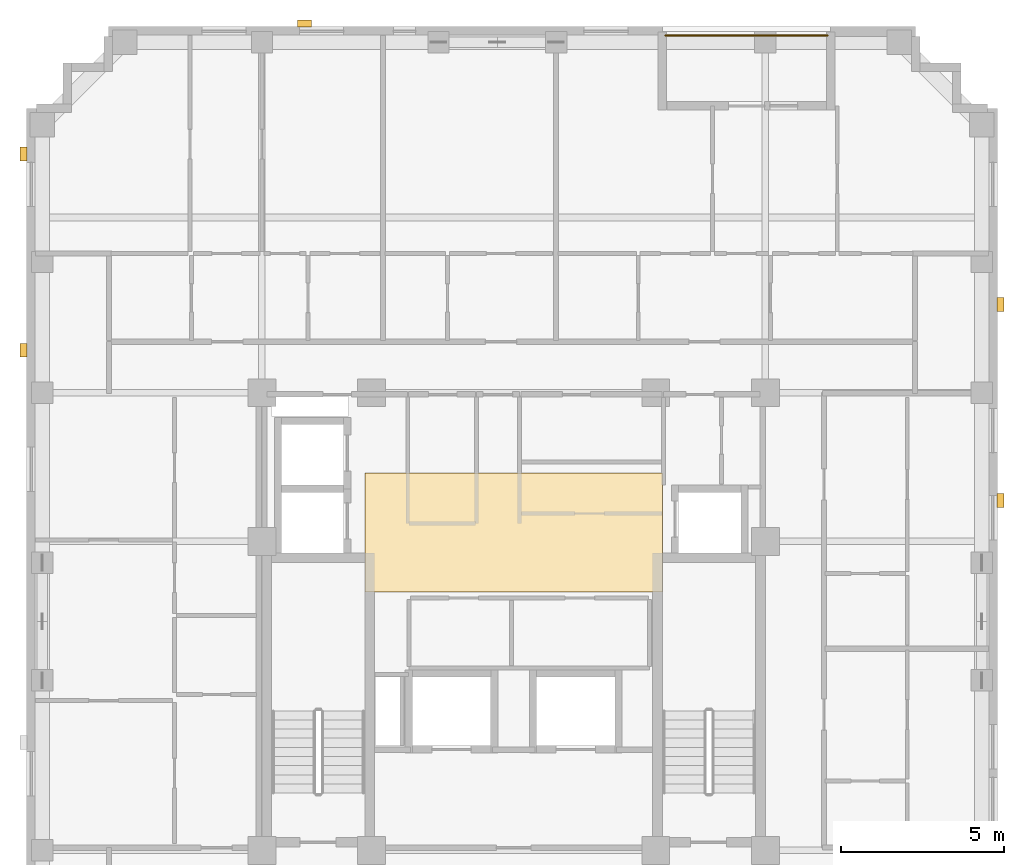
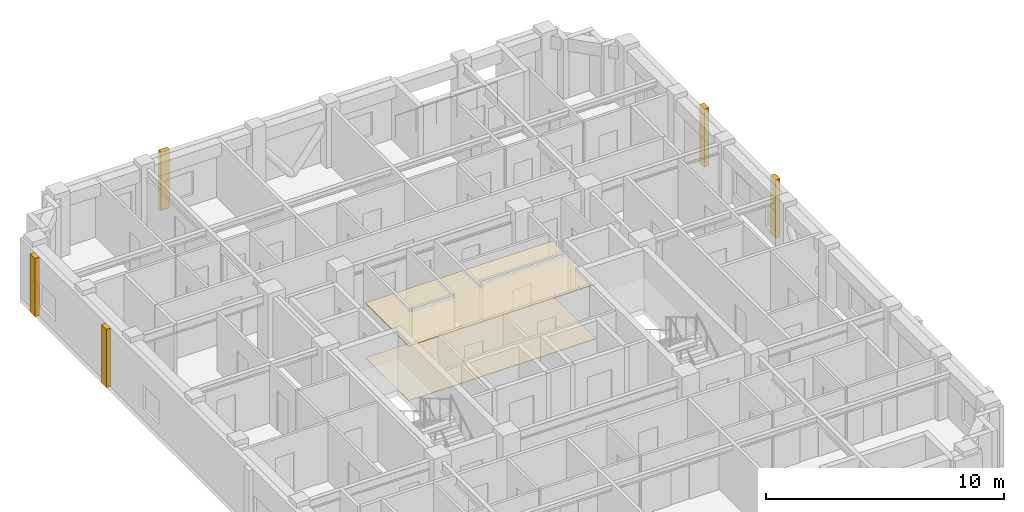
# One storey, part 11 of 11: 7 coverings, 1 railing.
"""IFC4 building model written with IfcOpenShell, lengths in metres."""

import ifcopenshell
import ifcopenshell.guid

model = None  # the IFC model being written
_history = None  # IfcOwnerHistory: only IFC2X3 demands one
_inside = {}  # id of a spatial element -> (the spatial element, [elements in it])
_under = {}  # id of a project, library or spatial element -> (it, [spatial elements below it])
_declared = {}  # id of a project -> (the project, [libraries it declares])
_typed = {}  # id of a type object -> (the type object, [elements of that type])
_made_of = {}  # id of a material, layer set ... -> (it, [elements and type objects made of it])


def new_model(schema):
    """Start an empty IFC model of exactly this schema.

    Asked for "IFC4X3", IfcOpenShell would pick the latest addendum, in which some entities
    have other attributes; the version numbers below select the first issue.
    IFC2X3 requires an IfcOwnerHistory on every rooted entity: one is made here for all.
    """
    global model, _history
    if schema == "IFC4X3":
        model = ifcopenshell.file(schema_version=(4, 3, 0, 0))
    else:
        model = ifcopenshell.file(schema=schema)
    _inside.clear()
    _under.clear()
    _declared.clear()
    _typed.clear()
    _made_of.clear()
    _history = None
    if model.schema == "IFC2X3":
        org = make("IfcOrganization", Name="unknown")
        user = make(
            "IfcPersonAndOrganization",
            ThePerson=make("IfcPerson", FamilyName="unknown"),
            TheOrganization=org,
        )
        app = make(
            "IfcApplication",
            ApplicationDeveloper=org,
            Version="unknown",
            ApplicationFullName="unknown",
            ApplicationIdentifier="unknown",
        )
        _history = make(
            "IfcOwnerHistory",
            OwningUser=user,
            OwningApplication=app,
            ChangeAction="ADDED",
            CreationDate=0,
        )
    return model


def make(cls, **values):
    """One entity of the class cls with the attributes given. An attribute that is None is left unset."""
    return model.create_entity(
        cls, **{name: value for name, value in values.items() if value is not None}
    )


def rooted(cls, **values):
    """An entity with a GlobalId (a new one), such as an element, a storey or a relation."""
    return make(cls, GlobalId=ifcopenshell.guid.new(), OwnerHistory=_history, **values)


def si_unit(unit_type, name, prefix=None):
    """IfcSIUnit, for example si_unit("LENGTHUNIT", "METRE", prefix="MILLI")."""
    return make("IfcSIUnit", UnitType=unit_type, Prefix=prefix, Name=name)


def derived_unit(unit_type, elements):
    """IfcDerivedUnit: a product of units, each with its exponent."""
    return make(
        "IfcDerivedUnit",
        Elements=[
            make("IfcDerivedUnitElement", Unit=unit, Exponent=power)
            for unit, power in elements
        ],
        UnitType=unit_type,
    )


def assignment(units):
    """IfcUnitAssignment: the units of a project."""
    return None if units is None else make("IfcUnitAssignment", Units=units)


def point(xyz):
    """IfcCartesianPoint."""
    return None if xyz is None else make("IfcCartesianPoint", Coordinates=xyz)


def direction(xyz):
    """IfcDirection."""
    return None if xyz is None else make("IfcDirection", DirectionRatios=xyz)


def frame(location, z_axis=None, x_axis=None):
    """IfcAxis2Placement3D, a coordinate frame: its origin and axes. An axis left out is left unset."""
    return make(
        "IfcAxis2Placement3D",
        Location=point(location),
        Axis=direction(z_axis),
        RefDirection=direction(x_axis),
    )


def frame_2d(location, x_axis=None):
    """IfcAxis2Placement2D, a coordinate frame in the plane: its origin and x axis."""
    return make(
        "IfcAxis2Placement2D", Location=point(location), RefDirection=direction(x_axis)
    )


def origin():
    """The frame at (0, 0, 0) with its axes left unset."""
    return frame((0.0, 0.0, 0.0))


def origin_2d():
    """The frame at (0, 0) in the plane with its x axis left unset."""
    return frame_2d((0.0, 0.0))


def place(relative_to, where):
    """IfcLocalPlacement: puts the frame where relative to a parent placement (None: the world)."""
    return make(
        "IfcLocalPlacement", PlacementRelTo=relative_to, RelativePlacement=where
    )


def context(
    kind, dimensions, precision=None, world=None, true_north=None, identifier=None
):
    """IfcGeometricRepresentationContext, for example the 3D "Model" context."""
    return make(
        "IfcGeometricRepresentationContext",
        ContextIdentifier=identifier,
        ContextType=kind,
        CoordinateSpaceDimension=dimensions,
        Precision=precision,
        WorldCoordinateSystem=world,
        TrueNorth=true_north,
    )


def subcontext(parent, identifier, kind, view, scale=None):
    """IfcGeometricRepresentationSubContext, for example "Body" below "Model"."""
    return make(
        "IfcGeometricRepresentationSubContext",
        ContextIdentifier=identifier,
        ContextType=kind,
        ParentContext=parent,
        TargetScale=scale,
        TargetView=view,
    )


def project(units=None, contexts=None):
    """IfcProject with its units and contexts."""
    return rooted(
        "IfcProject",
        Name="project",
        RepresentationContexts=contexts,
        UnitsInContext=assignment(units),
    )


def spatial(cls, under=None, at=None, **own):
    """A site, building, storey or space (cls), placed at a placement, below another one or the project."""
    s = rooted(cls, ObjectPlacement=at, **own)
    if under is not None:
        _under.setdefault(under.id(), (under, []))[1].append(s)
    return s


def polyline(points):
    """IfcPolyline through the points."""
    return make("IfcPolyline", Points=[point(p) for p in points])


def profile(cls, at=None, kind="AREA", **sizes):
    """A parametric profile (cls). Its sizes go by their IFC names, for example OverallWidth=200.0."""
    return make(cls, ProfileType=kind, Position=at, **sizes)


def rectangle(**sizes):
    """IfcRectangleProfileDef."""
    return profile("IfcRectangleProfileDef", **sizes)


def circle(**sizes):
    """IfcCircleProfileDef."""
    return profile("IfcCircleProfileDef", **sizes)


def outline(outer, holes=None, kind="AREA"):
    """IfcArbitraryClosedProfileDef: a profile drawn as a closed curve; with holes, ...WithVoids."""
    if holes is None:
        return make("IfcArbitraryClosedProfileDef", ProfileType=kind, OuterCurve=outer)
    return make(
        "IfcArbitraryProfileDefWithVoids",
        ProfileType=kind,
        OuterCurve=outer,
        InnerCurves=holes,
    )


def extrude(swept, where, along, depth):
    """IfcExtrudedAreaSolid: the profile swept, set in the frame where, extruded along a direction by depth."""
    return make(
        "IfcExtrudedAreaSolid",
        SweptArea=swept,
        Position=where,
        ExtrudedDirection=direction(along),
        Depth=depth,
    )


def shape(context_of_items, identifier, shape_type, items):
    """IfcShapeRepresentation: the items that make up one representation, for example the "Body"."""
    return make(
        "IfcShapeRepresentation",
        ContextOfItems=context_of_items,
        RepresentationIdentifier=identifier,
        RepresentationType=shape_type,
        Items=items,
    )


def material(Name=None, Category=None):
    """IfcMaterial."""
    return make("IfcMaterial", Name=Name, Category=Category)


def layer(
    of_material, thickness, ventilated=None, Name=None, Category=None, Priority=None
):
    """IfcMaterialLayer: one layer of a wall or slab, of a material (None: an air gap)."""
    return make(
        "IfcMaterialLayer",
        Material=of_material,
        LayerThickness=thickness,
        IsVentilated=ventilated,
        Name=Name,
        Category=Category,
        Priority=Priority,
    )


def layer_set(layers, Name=None):
    """IfcMaterialLayerSet."""
    return make("IfcMaterialLayerSet", MaterialLayers=layers, LayerSetName=Name)


def made_of(thing, what):
    """Note that an element or type object is made of a material, layer set ...; save() writes the relation."""
    if what is not None:
        _made_of.setdefault(what.id(), (what, []))[1].append(thing)
    return thing


def type_object(cls, material=None, **own):
    """A type object (cls), such as IfcWallType, which elements share."""
    return made_of(rooted(cls, **own), material)


def element(
    cls,
    number,
    at=None,
    inside=None,
    cuts=None,
    type_object=None,
    material=None,
    context=None,
    identifier="Body",
    shape_type=None,
    held_by="IfcProductDefinitionShape",
    body=None,
    shapes=None,
    **own,
):
    """One element of the class cls, such as IfcWall. Its Tag is "e" and its number.

    at: its placement. inside: the storey or other place that contains it. cuts: it is an
    opening in that element (IfcRelVoidsElement). A single representation is given by context,
    identifier, shape_type and body (its items); several are given by shapes. held_by: the class
    of the entity that holds the representations. save() writes the other relations.
    """
    e = rooted(cls, Tag="e%d" % number, ObjectPlacement=at, **own)
    if body is not None:
        shapes = [shape(context, identifier, shape_type, body)]
    if shapes is not None:
        e.Representation = make(held_by, Representations=shapes)
    if inside is not None:
        _inside.setdefault(inside.id(), (inside, []))[1].append(e)
    if cuts is not None:
        rooted(
            "IfcRelVoidsElement", RelatingBuildingElement=cuts, RelatedOpeningElement=e
        )
    if type_object is not None:
        _typed.setdefault(type_object.id(), (type_object, []))[1].append(e)
    return made_of(e, material)


def aggregate(whole, parts):
    """IfcRelAggregates: a whole, such as a stair, and the parts it consists of."""
    return rooted("IfcRelAggregates", RelatingObject=whole, RelatedObjects=parts)


def save(model, path):
    """Write the relations noted so far, then the file.

    IfcRelAggregates (storeys below a building ...), IfcRelContainedInSpatialStructure (elements
    in a storey), IfcRelDefinesByType, IfcRelAssociatesMaterial and IfcRelDeclares: one each for
    every whole, place, type object, material and project.
    """
    for whole, parts in _under.values():
        aggregate(whole, parts)
    for where, things in _inside.values():
        rooted(
            "IfcRelContainedInSpatialStructure",
            RelatedElements=things,
            RelatingStructure=where,
        )
    for kind, things in _typed.values():
        rooted("IfcRelDefinesByType", RelatedObjects=things, RelatingType=kind)
    for what, things in _made_of.values():
        rooted("IfcRelAssociatesMaterial", RelatedObjects=things, RelatingMaterial=what)
    for by, libraries in _declared.values():
        rooted("IfcRelDeclares", RelatingContext=by, RelatedDefinitions=libraries)
    model.write(path)


model = new_model("IFC4")

# Units and contexts
model_context = context("Model", 3, precision=1e-05, world=origin(), true_north=direction((0.0, 1.0)))
body_context = subcontext(model_context, "Body", "Model", "MODEL_VIEW")
ifc_project = project(units=[si_unit("LENGTHUNIT", "METRE"), si_unit("AREAUNIT", "SQUARE_METRE"), si_unit("VOLUMEUNIT", "CUBIC_METRE"), si_unit("PLANEANGLEUNIT", "RADIAN"), si_unit("MASSUNIT", "GRAM", prefix="KILO"), derived_unit("THERMALTRANSMITTANCEUNIT", [(si_unit("MASSUNIT", "GRAM", prefix="KILO"), 1), (si_unit("TIMEUNIT", "SECOND"), -3), (si_unit("THERMODYNAMICTEMPERATUREUNIT", "KELVIN"), -1)])], contexts=[model_context])

# Site, building, storey
site_placement = place(None, origin())
site = spatial("IfcSite", under=ifc_project, at=site_placement, CompositionType="ELEMENT")
building_placement = place(site_placement, origin())
building = spatial("IfcBuilding", under=site, at=building_placement, Name="Korrvale Station Residences", CompositionType="ELEMENT")
storey_placement = place(building_placement, frame((0.0, 0.0, 210.699951171875)))
storey = spatial("IfcBuildingStorey", under=building, at=storey_placement, Name="L61", CompositionType="ELEMENT", Elevation=210.699951171875)

# Coverings
ifc_material_1 = material(Name="Perforated acoustic mineral-fibre suspended ceiling", Category="gypsum")
ifc_layer_1 = layer(ifc_material_1, 0.050048828125, Name="Perforated acoustic mineral-fibre suspended ceiling")
ifc_layer_set_1 = layer_set([ifc_layer_1], Name="Perforated acoustic mineral-fibre suspended ceiling")
covering_type_1 = type_object("IfcCoveringType", Name="COV-CLG-AC60", PredefinedType="CEILING", material=ifc_layer_set_1)
covering_1_placement = place(storey_placement, frame((0.0, 0.0, 2.7900390625)))
element("IfcCovering", 1, at=covering_1_placement, inside=storey, type_object=covering_type_1, Name="L61 Elevator Lobby Acoustic Ceiling", PredefinedType="CEILING", context=body_context, shape_type="SweptSolid", body=[
    extrude(outline(polyline([(20.949951171875, 22.89990234375), (30.050048828125, 22.89990234375), (30.050048828125, 26.550048828125), (20.949951171875, 26.550048828125), (20.949951171875, 22.89990234375)])), origin(), (0.0, 0.0, 1.0), 0.050048828125),
])
ifc_material_2 = material(Name="Polished quartz-terrazzo lobby flooring", Category="masonry")
ifc_layer_2 = layer(ifc_material_2, 0.02001953125, Name="Polished quartz-terrazzo lobby flooring")
ifc_layer_set_2 = layer_set([ifc_layer_2], Name="Polished quartz-terrazzo lobby flooring")
covering_type_2 = type_object("IfcCoveringType", Name="COV-FLR-TER20", PredefinedType="FLOORING", material=ifc_layer_set_2)
covering_2_placement = place(storey_placement, origin())
element("IfcCovering", 2, at=covering_2_placement, inside=storey, type_object=covering_type_2, Name="L61 Elevator Lobby Terrazzo Flooring", PredefinedType="FLOORING", context=body_context, shape_type="SweptSolid", body=[
    extrude(outline(polyline([(20.949951171875, 22.89990234375), (30.050048828125, 22.89990234375), (30.050048828125, 26.550048828125), (20.949951171875, 26.550048828125), (20.949951171875, 22.89990234375)])), origin(), (0.0, 0.0, 1.0), 0.02001953125),
])
ifc_material_3 = material(Name="Architectural precast concrete C45/55", Category="concrete")
ifc_layer_3 = layer(ifc_material_3, 0.219970703125, Name="Architectural precast concrete C45/55")
ifc_layer_set_3 = layer_set([ifc_layer_3], Name="Architectural precast concrete C45/55")
covering_type_3 = type_object("IfcCoveringType", Name="COV-PIER-400", PredefinedType="CLADDING", material=ifc_layer_set_3)
for number, where, z_axis, x_axis, name in (
    (3, (19.10009765625, 40.2900390625, 0.02490234375), (0.0, 0.0, 1.0), (1.0, 0.0, 0.0), "L61 Architectural Precast Facade Pier 01"),
    (4, (10.510009765625, 30.300048828125, 0.02490234375), (0.0, 0.0, 1.0), (0.0, 1.0, 0.0), "L61 Architectural Precast Facade Pier 04"),
    (5, (10.510009765625, 36.300048828125, 0.02490234375), (0.0, 0.0, 1.0), (0.0, 1.0, 0.0), "L61 Architectural Precast Facade Pier 05"),
    (6, (40.389892578125, 31.699951171875, 0.02490234375), (0.0, 0.0, 1.0), (0.0, 1.0, 0.0), "L61 Architectural Precast Facade Pier 06"),
    (7, (40.389892578125, 25.699951171875, 0.02490234375), (0.0, 0.0, 1.0), (0.0, 1.0, 0.0), "L61 Architectural Precast Facade Pier 07"),
):
    element("IfcCovering", number, at=place(storey_placement, frame(where, z_axis=z_axis, x_axis=x_axis)), inside=storey, type_object=covering_type_3, Name=name, PredefinedType="CLADDING", context=body_context, shape_type="SweptSolid", body=[
        extrude(rectangle(XDim=0.419921875, YDim=0.219970703125, at=origin_2d()), origin(), (0.0, 0.0, 1.0), 2.989990234375),
    ])

# Railing
ifc_material_4 = material(Name="Powder-coated aluminium picket loggia guard", Category="aluminium")
railing_type = type_object("IfcRailingType", Name="RLG-BAL-1150", PredefinedType="GUARDRAIL", material=ifc_material_4)
railing_placement = place(storey_placement, frame((30.14990234375, 39.929931640625, 0.0)))
element("IfcRailing", 8, at=railing_placement, inside=storey, type_object=railing_type, Name="L61 Recessed Loggia Guardrail BAL-L61-N1", PredefinedType="GUARDRAIL", context=body_context, shape_type="SweptSolid", body=[
    extrude(circle(Radius=0.02392578125, at=origin_2d()), frame((0.0, 0.0, 1.1259765625), z_axis=(1.0, 0.0, 0.0), x_axis=(0.0, 1.0, 0.0)), (0.0, 0.0, 1.0), 4.9501953125),
    extrude(circle(Radius=0.02099609375, at=origin_2d()), origin(), (0.0, 0.0, 1.0), 1.101806640625),
    extrude(circle(Radius=0.02099609375, at=origin_2d()), frame((0.989990234375, 0.0, 0.0)), (0.0, 0.0, 1.0), 1.101806640625),
    extrude(circle(Radius=0.02099609375, at=origin_2d()), frame((1.97998046875, 0.0, 0.0)), (0.0, 0.0, 1.0), 1.101806640625),
    extrude(circle(Radius=0.02099609375, at=origin_2d()), frame((2.97021484375, 0.0, 0.0)), (0.0, 0.0, 1.0), 1.101806640625),
    extrude(circle(Radius=0.02099609375, at=origin_2d()), frame((3.960205078125, 0.0, 0.0)), (0.0, 0.0, 1.0), 1.101806640625),
    extrude(circle(Radius=0.02099609375, at=origin_2d()), frame((4.9501953125, 0.0, 0.0)), (0.0, 0.0, 1.0), 1.101806640625),
])

save(model, "model.ifc")
